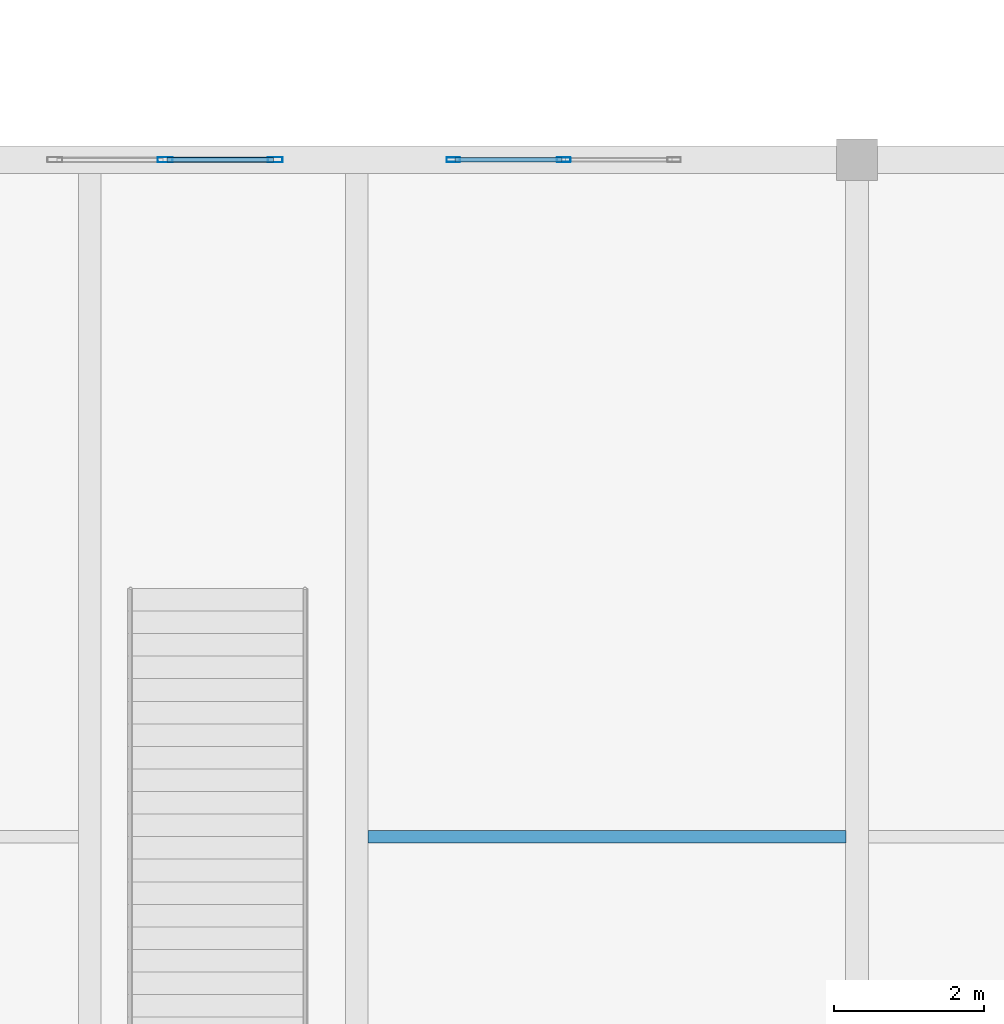
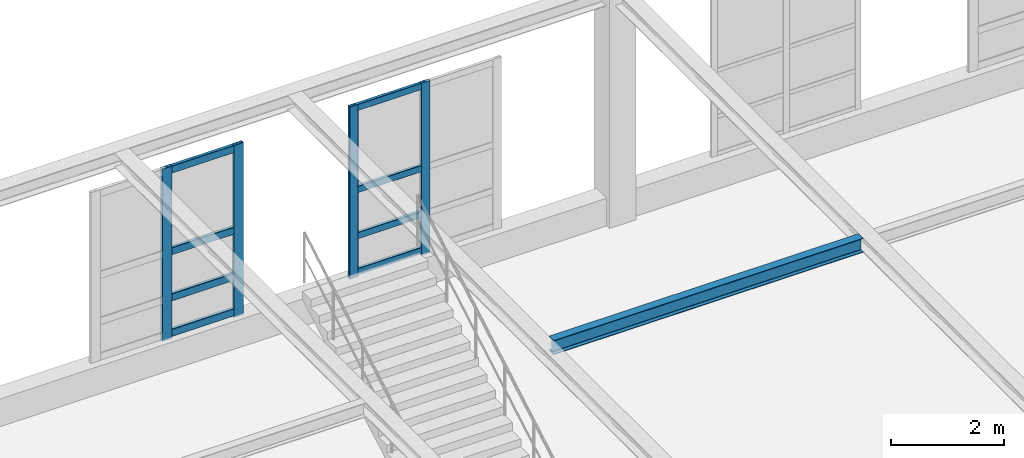
# One storey, part 81 of 197: 12 members, 1 beam, 2 elements without a shape of their own.
"""IFC4 building model written with IfcOpenShell, lengths in metres."""

from ifc_helpers import new_model, si_unit, derived_unit, direction, frame, origin, origin_2d, place, context, subcontext, project, spatial, hollow_rectangle, i_section, extrude, material, layer, layer_set, material_profile, profile_set, type_object, element, aggregate, save


model = new_model("IFC4")

# Units and contexts
model_context = context("Model", 3, precision=1e-05, world=origin(), true_north=direction((0.0, 1.0)))
body_context = subcontext(model_context, "Body", "Model", "MODEL_VIEW")
ifc_project = project(units=[si_unit("LENGTHUNIT", "METRE"), si_unit("AREAUNIT", "SQUARE_METRE"), si_unit("VOLUMEUNIT", "CUBIC_METRE"), si_unit("PLANEANGLEUNIT", "RADIAN"), si_unit("MASSUNIT", "GRAM", prefix="KILO"), derived_unit("THERMALTRANSMITTANCEUNIT", [(si_unit("POWERUNIT", "WATT"), 1), (si_unit("LENGTHUNIT", "METRE"), -2), (si_unit("THERMODYNAMICTEMPERATUREUNIT", "KELVIN"), -1)])], contexts=[model_context])

# Site, building, storey
site_placement = place(None, origin())
site = spatial("IfcSite", under=ifc_project, at=site_placement, CompositionType="ELEMENT")
building_placement = place(site_placement, origin())
building = spatial("IfcBuilding", under=site, at=building_placement, Name="Almenara Railside Exhibition Hall", CompositionType="ELEMENT")
storey_placement = place(building_placement, frame((0.0, 0.0, 5.39990234375)))
storey = spatial("IfcBuildingStorey", under=building, at=storey_placement, Name="L01", CompositionType="ELEMENT", Elevation=5.39990234375)

# Curtain wall, members
ifc_material_1 = material(Name="Bronze-anodised aluminium and low-E double glazing", Category="aluminium")
ifc_layer = layer(ifc_material_1, 0.179931640625, Name="Bronze-anodised aluminium and low-E double glazing")
ifc_layer_set = layer_set([ifc_layer], Name="Bronze-anodised aluminium and low-E double glazing")
curtain_wall_type = type_object("IfcCurtainWallType", Name="Courtyard North Galeria Curtain Wall 3000x3700", PredefinedType="NOTDEFINED", material=ifc_layer_set)
curtain_wall_1_placement = place(storey_placement, origin())
curtain_wall_1 = element("IfcCurtainWall", 1, at=curtain_wall_1_placement, inside=storey, type_object=curtain_wall_type, Name="Curtain wall CW-CY1-124", PredefinedType="NOTDEFINED")
ifc_material_2 = material(Name="Bronze-anodised aluminium", Category="aluminium")
ifc_material_profile_1 = material_profile(ifc_material_2, hollow_rectangle(XDim=0.06494140625, YDim=0.179931640625, WallThickness=0.00390625, InnerFilletRadius=0.00390625, OuterFilletRadius=0.008056640625, at=origin_2d()), Name="ALU-MUL 65x180x4")
ifc_profile_set_1 = profile_set([ifc_material_profile_1], Name="Bronze-anodised aluminium")
member_type_1 = type_object("IfcMemberType", Name="Curtain Wall Mullion 65x180x4", PredefinedType="MULLION", material=ifc_profile_set_1)
member_1_placement = place(storey_placement, frame((78.632568359375, 108.0, 0.565185546875), z_axis=(0.0, 0.0, 1.0), x_axis=(0.0, 1.0, 0.0)))
member_1 = element("IfcMember", 2, at=member_1_placement, type_object=member_type_1, Name="CW-CY1-124 mullion 1", PredefinedType="MULLION", context=body_context, shape_type="SweptSolid", body=[
    extrude(hollow_rectangle(XDim=0.06494140625, YDim=0.179931640625, WallThickness=0.00390625, InnerFilletRadius=0.00390625, OuterFilletRadius=0.008056640625, at=origin_2d()), origin(), (0.0, 0.0, 1.0), 3.73486328125),
])
member_2_placement = place(storey_placement, frame((80.10009765625, 108.0, 0.565185546875), z_axis=(0.0, 0.0, 1.0), x_axis=(0.0, 1.0, 0.0)))
member_2 = element("IfcMember", 3, at=member_2_placement, type_object=member_type_1, Name="CW-CY1-124 mullion 2", PredefinedType="MULLION", context=body_context, shape_type="SweptSolid", body=[
    extrude(hollow_rectangle(XDim=0.06494140625, YDim=0.179931640625, WallThickness=0.00390625, InnerFilletRadius=0.00390625, OuterFilletRadius=0.008056640625, at=origin_2d()), origin(), (0.0, 0.0, 1.0), 3.73486328125),
])

curtain_wall_2_placement = place(storey_placement, origin())
curtain_wall_2 = element("IfcCurtainWall", 4, at=curtain_wall_2_placement, inside=storey, type_object=curtain_wall_type, Name="Curtain wall CW-CY1-123", PredefinedType="NOTDEFINED")
ifc_material_profile_2 = material_profile(ifc_material_2, hollow_rectangle(XDim=0.070068359375, YDim=0.199951171875, WallThickness=0.00439453125, InnerFilletRadius=0.00439453125, OuterFilletRadius=0.009033203125, at=origin_2d()), Name="ALU-MUL 70x200x4.5")
ifc_profile_set_2 = profile_set([ifc_material_profile_2], Name="Bronze-anodised aluminium")
member_type_2 = type_object("IfcMemberType", Name="Curtain Wall Mullion 70x200x4.5", PredefinedType="MULLION", material=ifc_profile_set_2)
member_3_placement = place(storey_placement, frame((74.800048828125, 108.0, 0.565185546875), z_axis=(0.0, 0.0, 1.0), x_axis=(0.0, 1.0, 0.0)))
member_3 = element("IfcMember", 5, at=member_3_placement, type_object=member_type_2, Name="CW-CY1-123 mullion 2", PredefinedType="MULLION", context=body_context, shape_type="SweptSolid", body=[
    extrude(hollow_rectangle(XDim=0.070068359375, YDim=0.199951171875, WallThickness=0.00439453125, InnerFilletRadius=0.00439453125, OuterFilletRadius=0.009033203125, at=origin_2d()), origin(), (0.0, 0.0, 1.0), 3.73486328125),
])
member_4_placement = place(storey_placement, frame((76.264892578125, 108.0, 0.565185546875), z_axis=(0.0, 0.0, 1.0), x_axis=(0.0, 1.0, 0.0)))
member_4 = element("IfcMember", 6, at=member_4_placement, type_object=member_type_2, Name="CW-CY1-123 mullion 3", PredefinedType="MULLION", context=body_context, shape_type="SweptSolid", body=[
    extrude(hollow_rectangle(XDim=0.070068359375, YDim=0.199951171875, WallThickness=0.00439453125, InnerFilletRadius=0.00439453125, OuterFilletRadius=0.009033203125, at=origin_2d()), origin(), (0.0, 0.0, 1.0), 3.73486328125),
])

# Member
ifc_material_profile_3 = material_profile(ifc_material_2, hollow_rectangle(XDim=0.06494140625, YDim=0.139892578125, WallThickness=0.00341796875, InnerFilletRadius=0.00341796875, OuterFilletRadius=0.007080078125, at=origin_2d()), Name="ALU-TRN 65x140x3.5")
ifc_profile_set_3 = profile_set([ifc_material_profile_3], Name="Bronze-anodised aluminium")
member_type_3 = type_object("IfcMemberType", Name="Curtain Wall Transom 65x140x3.5", PredefinedType="USERDEFINED", material=ifc_profile_set_3)
member_5_placement = place(storey_placement, frame((78.656982421875, 108.0, 0.670166015625), z_axis=(1.0, 0.0, 0.0), x_axis=(0.0, 1.0, 0.0)))
member_5 = element("IfcMember", 7, at=member_5_placement, type_object=member_type_3, Name="CW-CY1-124 transom 1.1", ObjectType="TRANSOM", PredefinedType="USERDEFINED", context=body_context, shape_type="SweptSolid", body=[
    extrude(hollow_rectangle(XDim=0.06494140625, YDim=0.139892578125, WallThickness=0.00341796875, InnerFilletRadius=0.00341796875, OuterFilletRadius=0.007080078125, at=origin_2d()), origin(), (0.0, 0.0, 1.0), 1.41845703125),
])

member_6_placement = place(storey_placement, frame((78.656982421875, 108.0, 1.4501953125), z_axis=(1.0, 0.0, 0.0), x_axis=(0.0, 1.0, 0.0)))
member_6 = element("IfcMember", 8, at=member_6_placement, type_object=member_type_3, Name="CW-CY1-124 transom 1.2", ObjectType="TRANSOM", PredefinedType="USERDEFINED", context=body_context, shape_type="SweptSolid", body=[
    extrude(hollow_rectangle(XDim=0.06494140625, YDim=0.139892578125, WallThickness=0.00341796875, InnerFilletRadius=0.00341796875, OuterFilletRadius=0.007080078125, at=origin_2d()), origin(), (0.0, 0.0, 1.0), 1.41845703125),
])

member_7_placement = place(storey_placement, frame((78.656982421875, 108.0, 2.4501953125), z_axis=(1.0, 0.0, 0.0), x_axis=(0.0, 1.0, 0.0)))
member_7 = element("IfcMember", 9, at=member_7_placement, type_object=member_type_3, Name="CW-CY1-124 transom 1.3", ObjectType="TRANSOM", PredefinedType="USERDEFINED", context=body_context, shape_type="SweptSolid", body=[
    extrude(hollow_rectangle(XDim=0.06494140625, YDim=0.139892578125, WallThickness=0.00341796875, InnerFilletRadius=0.00341796875, OuterFilletRadius=0.007080078125, at=origin_2d()), origin(), (0.0, 0.0, 1.0), 1.41845703125),
])

member_8_placement = place(storey_placement, frame((78.656982421875, 108.0, 4.22998046875), z_axis=(1.0, 0.0, 0.0), x_axis=(0.0, 1.0, 0.0)))
member_8 = element("IfcMember", 10, at=member_8_placement, type_object=member_type_3, Name="CW-CY1-124 transom 1.4", ObjectType="TRANSOM", PredefinedType="USERDEFINED", context=body_context, shape_type="SweptSolid", body=[
    extrude(hollow_rectangle(XDim=0.06494140625, YDim=0.139892578125, WallThickness=0.00341796875, InnerFilletRadius=0.00341796875, OuterFilletRadius=0.007080078125, at=origin_2d()), origin(), (0.0, 0.0, 1.0), 1.41845703125),
])

aggregate(curtain_wall_1, [member_1, member_2, member_5, member_6, member_7, member_8])

ifc_material_profile_4 = material_profile(ifc_material_2, hollow_rectangle(XDim=0.070068359375, YDim=0.159912109375, WallThickness=0.00390625, InnerFilletRadius=0.00390625, OuterFilletRadius=0.008056640625, at=origin_2d()), Name="ALU-TRN 70x160x4")
ifc_profile_set_4 = profile_set([ifc_material_profile_4], Name="Bronze-anodised aluminium")
member_type_4 = type_object("IfcMemberType", Name="Curtain Wall Transom 70x160x4", PredefinedType="USERDEFINED", material=ifc_profile_set_4)
member_9_placement = place(storey_placement, frame((74.826904296875, 108.0, 0.68017578125), z_axis=(1.0, 0.0, 0.0), x_axis=(0.0, 1.0, 0.0)))
member_9 = element("IfcMember", 11, at=member_9_placement, type_object=member_type_4, Name="CW-CY1-123 transom 2.1", ObjectType="TRANSOM", PredefinedType="USERDEFINED", context=body_context, shape_type="SweptSolid", body=[
    extrude(hollow_rectangle(XDim=0.070068359375, YDim=0.159912109375, WallThickness=0.00390625, InnerFilletRadius=0.00390625, OuterFilletRadius=0.008056640625, at=origin_2d()), origin(), (0.0, 0.0, 1.0), 1.4111328125),
])

member_10_placement = place(storey_placement, frame((74.826904296875, 108.0, 1.4501953125), z_axis=(1.0, 0.0, 0.0), x_axis=(0.0, 1.0, 0.0)))
member_10 = element("IfcMember", 12, at=member_10_placement, type_object=member_type_4, Name="CW-CY1-123 transom 2.2", ObjectType="TRANSOM", PredefinedType="USERDEFINED", context=body_context, shape_type="SweptSolid", body=[
    extrude(hollow_rectangle(XDim=0.070068359375, YDim=0.159912109375, WallThickness=0.00390625, InnerFilletRadius=0.00390625, OuterFilletRadius=0.008056640625, at=origin_2d()), origin(), (0.0, 0.0, 1.0), 1.4111328125),
])

member_11_placement = place(storey_placement, frame((74.826904296875, 108.0, 2.4501953125), z_axis=(1.0, 0.0, 0.0), x_axis=(0.0, 1.0, 0.0)))
member_11 = element("IfcMember", 13, at=member_11_placement, type_object=member_type_4, Name="CW-CY1-123 transom 2.3", ObjectType="TRANSOM", PredefinedType="USERDEFINED", context=body_context, shape_type="SweptSolid", body=[
    extrude(hollow_rectangle(XDim=0.070068359375, YDim=0.159912109375, WallThickness=0.00390625, InnerFilletRadius=0.00390625, OuterFilletRadius=0.008056640625, at=origin_2d()), origin(), (0.0, 0.0, 1.0), 1.4111328125),
])

member_12_placement = place(storey_placement, frame((74.826904296875, 108.0, 4.22021484375), z_axis=(1.0, 0.0, 0.0), x_axis=(0.0, 1.0, 0.0)))
member_12 = element("IfcMember", 14, at=member_12_placement, type_object=member_type_4, Name="CW-CY1-123 transom 2.4", ObjectType="TRANSOM", PredefinedType="USERDEFINED", context=body_context, shape_type="SweptSolid", body=[
    extrude(hollow_rectangle(XDim=0.070068359375, YDim=0.159912109375, WallThickness=0.00390625, InnerFilletRadius=0.00390625, OuterFilletRadius=0.008056640625, at=origin_2d()), origin(), (0.0, 0.0, 1.0), 1.4111328125),
])

aggregate(curtain_wall_2, [member_3, member_4, member_9, member_10, member_11, member_12])

# Beam
ifc_material_3 = material(Name="Structural steel S355JR", Category="steel")
ifc_material_profile_5 = material_profile(ifc_material_3, i_section(OverallWidth=0.165771484375, OverallDepth=0.306640625, WebThickness=0.006591796875, FlangeThickness=0.01171875, FilletRadius=0.0087890625, at=origin_2d()), Name="UB 305x165x46")
ifc_profile_set_5 = profile_set([ifc_material_profile_5], Name="Structural steel S355JR")
beam_type = type_object("IfcBeamType", Name="Steel Walkway Joist UB 305x165x46 S355JR", PredefinedType="JOIST", material=ifc_profile_set_5)
beam_placement = place(storey_placement, frame((77.5, 99.0, 4.936767578125), z_axis=(1.0, 0.0, 0.0), x_axis=(0.0, 1.0, 0.0)))
element("IfcBeam", 15, at=beam_placement, inside=storey, type_object=beam_type, Name="Beam 0799", PredefinedType="JOIST", context=body_context, shape_type="SweptSolid", body=[
    extrude(i_section(OverallWidth=0.165771484375, OverallDepth=0.306640625, WebThickness=0.006591796875, FlangeThickness=0.01171875, FilletRadius=0.0087890625, at=origin_2d()), origin(), (0.0, 0.0, 1.0), 6.35009765625),
])

save(model, "model.ifc")
